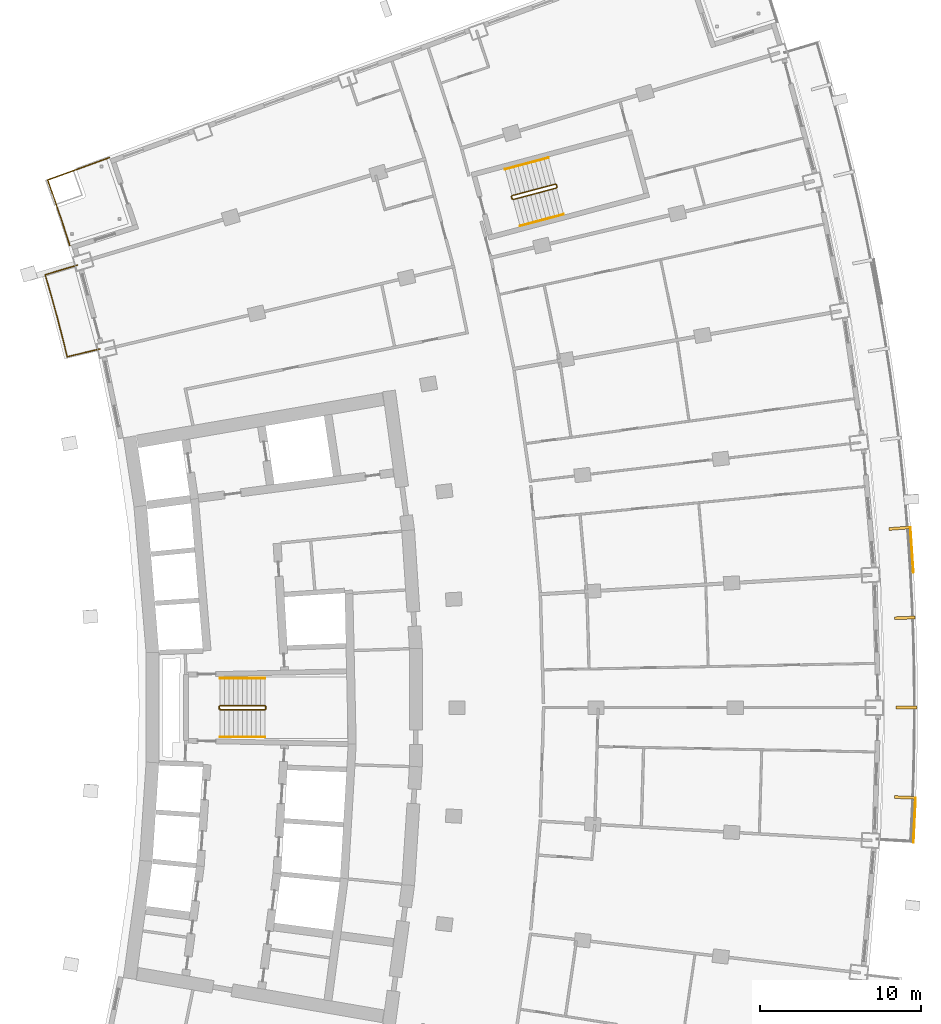
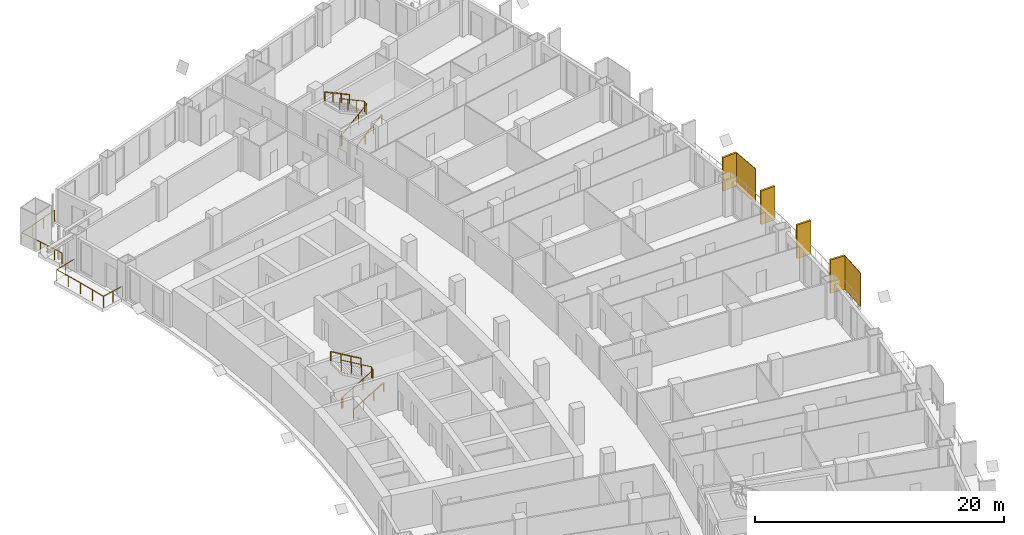
# One storey, part 24 of 25: 8 railings, 6 shading devices.
"""IFC4 building model written with IfcOpenShell, lengths in metres."""

from ifc_helpers import new_model, si_unit, direction, frame, origin, origin_with_axes, origin_2d, place, context, subcontext, project, spatial, rectangle, extrude, material, layer, layer_set, type_object, element, save


model = new_model("IFC4")

# Units and contexts
model_context = context("Model", 3, precision=1e-05, world=origin(), true_north=direction((0.0, 1.0)))
body_context = subcontext(model_context, "Body", "Model", "MODEL_VIEW")
ifc_project = project(units=[si_unit("LENGTHUNIT", "METRE"), si_unit("AREAUNIT", "SQUARE_METRE"), si_unit("VOLUMEUNIT", "CUBIC_METRE"), si_unit("PLANEANGLEUNIT", "RADIAN"), si_unit("MASSUNIT", "GRAM", prefix="KILO")], contexts=[model_context])

# Site, building, storey
site_placement = place(None, origin())
site = spatial("IfcSite", under=ifc_project, at=site_placement, CompositionType="ELEMENT")
building_placement = place(site_placement, origin())
building = spatial("IfcBuilding", under=site, at=building_placement, Name="Alderwake Tower", CompositionType="ELEMENT")
storey_placement = place(building_placement, frame((0.0, 0.0, 89.60009765625)))
storey = spatial("IfcBuildingStorey", under=building, at=storey_placement, Name="L21", CompositionType="ELEMENT", Elevation=89.60009765625)

# Railings
ifc_material_1 = material(Name="Stainless steel 316 rail and posts", Category="steel")
railing_type_1 = type_object("IfcRailingType", Name="Balcony guard 1100", PredefinedType="GUARDRAIL", material=ifc_material_1)
railing_1_placement = place(storey_placement, frame((13.5693359375, 83.343017578125, 0.0)))
element("IfcRailing", 1, at=railing_1_placement, inside=storey, type_object=railing_type_1, Name="Guard BR11", PredefinedType="GUARDRAIL", context=body_context, shape_type="SweptSolid", body=[
    extrude(rectangle(XDim=0.048095703125, YDim=0.048095703125, at=origin_2d()), frame((0.0, 0.0, 1.076171875), z_axis=(-0.972646310656, -0.232291098337, 0.0), x_axis=(0.232291098337, -0.972646310656, 0.0)), (0.0, 0.0, 1.0), 2.099853515625),
    extrude(rectangle(XDim=0.048095703125, YDim=0.048095703125, at=origin_2d()), frame((-2.04248046875, -0.48779296875, 1.076171875), z_axis=(-0.238877101641, 0.971049808358, 0.0), x_axis=(-0.971049808358, -0.238877101641, 0.0)), (0.0, 0.0, 1.0), 1.2724609375),
    extrude(rectangle(XDim=0.048095703125, YDim=0.048095703125, at=origin_2d()), frame((-2.346435546875, 0.747802734375, 1.076171875), z_axis=(-0.252487086228, 0.967600264204, 0.0), x_axis=(-0.967600264204, -0.252487086228, 0.0)), (0.0, 0.0, 1.0), 1.3720703125),
    extrude(rectangle(XDim=0.048095703125, YDim=0.048095703125, at=origin_2d()), frame((-2.69287109375, 2.075439453125, 1.076171875), z_axis=(-0.266487604617, 0.963838345671, 0.0), x_axis=(-0.963838345671, -0.266487604617, 0.0)), (0.0, 0.0, 1.0), 1.372314453125),
    extrude(rectangle(XDim=0.048095703125, YDim=0.048095703125, at=origin_2d()), frame((-3.05859375, 3.398193359375, 1.076171875), z_axis=(-0.279963157487, 0.960010744966, 0.0), x_axis=(-0.960010744966, -0.279963157487, 0.0)), (0.0, 0.0, 1.0), 1.272216796875),
    extrude(rectangle(XDim=0.048095703125, YDim=0.048095703125, at=origin_2d()), frame((-3.414794921875, 4.61962890625, 1.076171875), z_axis=(0.958091458885, 0.286462486918, 0.0), x_axis=(-0.286462486918, 0.958091458885, 0.0)), (0.0, 0.0, 1.0), 2.099853515625),
    extrude(rectangle(XDim=0.0419921875, YDim=0.0419921875, at=origin_2d()), frame((0.0, 0.0, 0.0), z_axis=(0.0, 0.0, 1.0), x_axis=(-0.972646310656, -0.232291098337, 0.0)), (0.0, 0.0, 1.0), 1.052001953125),
    extrude(rectangle(XDim=0.0419921875, YDim=0.0419921875, at=origin_2d()), frame((-1.021240234375, -0.243896484375, 0.0), z_axis=(0.0, 0.0, 1.0), x_axis=(-0.972646310656, -0.232291098337, 0.0)), (0.0, 0.0, 1.0), 1.052001953125),
    extrude(rectangle(XDim=0.0419921875, YDim=0.0419921875, at=origin_2d()), frame((-2.04248046875, -0.48779296875, 0.0), z_axis=(0.0, 0.0, 1.0), x_axis=(-0.238877101641, 0.971049808358, 0.0)), (0.0, 0.0, 1.0), 1.052001953125),
    extrude(rectangle(XDim=0.0419921875, YDim=0.0419921875, at=origin_2d()), frame((-2.346435546875, 0.747802734375, 0.0), z_axis=(0.0, 0.0, 1.0), x_axis=(-0.252487086228, 0.967600264204, 0.0)), (0.0, 0.0, 1.0), 1.052001953125),
    extrude(rectangle(XDim=0.0419921875, YDim=0.0419921875, at=origin_2d()), frame((-2.69287109375, 2.075439453125, 0.0), z_axis=(0.0, 0.0, 1.0), x_axis=(-0.266487604617, 0.963838345671, 0.0)), (0.0, 0.0, 1.0), 1.052001953125),
    extrude(rectangle(XDim=0.0419921875, YDim=0.0419921875, at=origin_2d()), frame((-3.05859375, 3.398193359375, 0.0), z_axis=(0.0, 0.0, 1.0), x_axis=(-0.279963157487, 0.960010744966, 0.0)), (0.0, 0.0, 1.0), 1.052001953125),
    extrude(rectangle(XDim=0.0419921875, YDim=0.0419921875, at=origin_2d()), frame((-3.414794921875, 4.61962890625, 0.0), z_axis=(0.0, 0.0, 1.0), x_axis=(0.958091458885, 0.286462486918, 0.0)), (0.0, 0.0, 1.0), 1.052001953125),
    extrude(rectangle(XDim=0.0419921875, YDim=0.0419921875, at=origin_2d()), frame((-2.40869140625, 4.92041015625, 0.0), z_axis=(0.0, 0.0, 1.0), x_axis=(0.958091458885, 0.286462486918, 0.0)), (0.0, 0.0, 1.0), 1.052001953125),
    extrude(rectangle(XDim=0.0419921875, YDim=0.0419921875, at=origin_2d()), frame((-1.40283203125, 5.22119140625, 0.0), z_axis=(0.0, 0.0, 1.0), x_axis=(0.958091458885, 0.286462486918, 0.0)), (0.0, 0.0, 1.0), 1.052001953125),
])
railing_2_placement = place(storey_placement, frame((11.688720703125, 89.781982421875, 0.0)))
element("IfcRailing", 2, at=railing_2_placement, inside=storey, type_object=railing_type_1, Name="Guard terrace RN", PredefinedType="GUARDRAIL", context=body_context, shape_type="SweptSolid", body=[
    extrude(rectangle(XDim=0.048095703125, YDim=0.048095703125, at=origin_2d()), frame((0.0, 0.0, 1.076171875), z_axis=(-0.307479326145, 0.951554761426, 0.0), x_axis=(-0.951554761426, -0.307479326145, 0.0)), (0.0, 0.0, 1.0), 1.6015625),
    extrude(rectangle(XDim=0.048095703125, YDim=0.048095703125, at=origin_2d()), frame((-0.492431640625, 1.52392578125, 1.076171875), z_axis=(-0.322283727344, 0.946643121292, 0.0), x_axis=(-0.946643121292, -0.322283727344, 0.0)), (0.0, 0.0, 1.0), 1.4013671875),
    extrude(rectangle(XDim=0.048095703125, YDim=0.048095703125, at=origin_2d()), frame((-0.944091796875, 2.8505859375, 1.076171875), z_axis=(-0.335468607403, 0.942051385778, 0.0), x_axis=(-0.942051385778, -0.335468607403, 0.0)), (0.0, 0.0, 1.0), 1.30126953125),
    extrude(rectangle(XDim=0.048095703125, YDim=0.048095703125, at=origin_2d()), frame((-1.380615234375, 4.076416015625, 1.076171875), z_axis=(0.939708203232, 0.341977327873, 0.0), x_axis=(-0.341977327873, 0.939708203232, 0.0)), (0.0, 0.0, 1.0), 4.10009765625),
    extrude(rectangle(XDim=0.0419921875, YDim=0.0419921875, at=origin_2d()), frame((0.0, 0.0, 0.0), z_axis=(0.0, 0.0, 1.0), x_axis=(-0.307479326145, 0.951554761426, 0.0)), (0.0, 0.0, 1.0), 1.052001953125),
    extrude(rectangle(XDim=0.0419921875, YDim=0.0419921875, at=origin_2d()), frame((-0.24609375, 0.761962890625, 0.0), z_axis=(0.0, 0.0, 1.0), x_axis=(-0.307479326145, 0.951554761426, 0.0)), (0.0, 0.0, 1.0), 1.052001953125),
    extrude(rectangle(XDim=0.0419921875, YDim=0.0419921875, at=origin_2d()), frame((-0.492431640625, 1.52392578125, 0.0), z_axis=(0.0, 0.0, 1.0), x_axis=(-0.322283727344, 0.946643121292, 0.0)), (0.0, 0.0, 1.0), 1.052001953125),
    extrude(rectangle(XDim=0.0419921875, YDim=0.0419921875, at=origin_2d()), frame((-0.71826171875, 2.187255859375, 0.0), z_axis=(0.0, 0.0, 1.0), x_axis=(-0.322283727344, 0.946643121292, 0.0)), (0.0, 0.0, 1.0), 1.052001953125),
    extrude(rectangle(XDim=0.0419921875, YDim=0.0419921875, at=origin_2d()), frame((-0.944091796875, 2.8505859375, 0.0), z_axis=(0.0, 0.0, 1.0), x_axis=(-0.335468607403, 0.942051385778, 0.0)), (0.0, 0.0, 1.0), 1.052001953125),
    extrude(rectangle(XDim=0.0419921875, YDim=0.0419921875, at=origin_2d()), frame((-1.380615234375, 4.076416015625, 0.0), z_axis=(0.0, 0.0, 1.0), x_axis=(0.939708203232, 0.341977327873, 0.0)), (0.0, 0.0, 1.0), 1.052001953125),
    extrude(rectangle(XDim=0.0419921875, YDim=0.0419921875, at=origin_2d()), frame((-0.096435546875, 4.543701171875, 0.0), z_axis=(0.0, 0.0, 1.0), x_axis=(0.939708203232, 0.341977327873, 0.0)), (0.0, 0.0, 1.0), 1.052001953125),
    extrude(rectangle(XDim=0.0419921875, YDim=0.0419921875, at=origin_2d()), frame((1.18798828125, 5.01123046875, 0.0), z_axis=(0.0, 0.0, 1.0), x_axis=(0.939708203232, 0.341977327873, 0.0)), (0.0, 0.0, 1.0), 1.052001953125),
    extrude(rectangle(XDim=0.0419921875, YDim=0.0419921875, at=origin_2d()), frame((2.47216796875, 5.478515625, 0.0), z_axis=(0.0, 0.0, 1.0), x_axis=(0.939708203232, 0.341977327873, 0.0)), (0.0, 0.0, 1.0), 1.052001953125),
])

# Shading devices
ifc_material_2 = material(Name="Bronze anodised aluminium", Category="aluminium")
ifc_layer_1 = layer(ifc_material_2, 0.179931640625)
ifc_layer_set_1 = layer_set([ifc_layer_1], Name="Facade fin 1300")
shading_device_type_1 = type_object("IfcShadingDeviceType", Name="Facade fin 1300", PredefinedType="USERDEFINED", material=ifc_layer_set_1)
for number, where, z_axis, x_axis, name in (
    (3, (63.691162109375, 55.40771484375, 0.0), (0.0, 0.0, 1.0), (0.999243494356, -0.038890088543, 0.0), "Fin"),
    (4, (63.800048828125, 61.0, 0.0), (0.0, 0.0, 1.0), (1.0, 0.0, 0.0), "Fin"),
    (5, (63.691162109375, 66.59228515625, 0.0), (0.0, 0.0, 1.0), (0.999243494356, 0.038890088543, 0.0), "Fin"),
    (6, (63.364990234375, 72.176513671875, 0.0), (0.0, 0.0, 1.0), (0.996975122026, 0.077721335943, 0.0), "Fin"),
):
    element("IfcShadingDevice", number, at=place(storey_placement, frame(where, z_axis=z_axis, x_axis=x_axis)), inside=storey, type_object=shading_device_type_1, Name=name, ObjectType="FIN", PredefinedType="USERDEFINED", context=body_context, shape_type="SweptSolid", body=[
        extrude(rectangle(XDim=1.300048828125, YDim=0.179931640625, at=origin_2d()), origin(), (0.0, 0.0, 1.0), 3.280029296875),
    ])
ifc_material_3 = material(Name="Perforated bronze anodised aluminium", Category="aluminium")
ifc_layer_2 = layer(ifc_material_3, 0.050048828125)
ifc_layer_set_2 = layer_set([ifc_layer_2], Name="Perforated screen panel")
shading_device_type_2 = type_object("IfcShadingDeviceType", Name="Perforated screen panel", PredefinedType="USERDEFINED", material=ifc_layer_set_2)
shading_device_1_placement = place(storey_placement, frame((64.297607421875, 53.981689453125, 0.0), z_axis=(0.0, 0.0, 1.0), x_axis=(0.998819231138, -0.048581308217, 0.0)))
element("IfcShadingDevice", 7, at=shading_device_1_placement, inside=storey, type_object=shading_device_type_2, Name="Screen panel", ObjectType="SCREEN", PredefinedType="USERDEFINED", context=body_context, shape_type="SweptSolid", body=[
    extrude(rectangle(XDim=0.050048828125, YDim=2.802734375, at=origin_2d()), origin(), (0.0, 0.0, 1.0), 3.280029296875),
])
shading_device_2_placement = place(storey_placement, frame((64.1337890625, 70.823486328125, 0.0), z_axis=(0.0, 0.0, 1.0), x_axis=(0.997685465774, 0.067997877779, 0.0)))
element("IfcShadingDevice", 8, at=shading_device_2_placement, inside=storey, type_object=shading_device_type_2, Name="Screen panel", ObjectType="SCREEN", PredefinedType="USERDEFINED", context=body_context, shape_type="SweptSolid", body=[
    extrude(rectangle(XDim=0.050048828125, YDim=2.817138671875, at=origin_2d()), origin(), (0.0, 0.0, 1.0), 3.280029296875),
])

# Railings
ifc_material_4 = material(Name="Stainless steel guard", Category="steel")
railing_type_2 = type_object("IfcRailingType", Name="Stair guard 1100", PredefinedType="GUARDRAIL", material=ifc_material_4)
railing_3_placement = place(storey_placement, frame((20.989990234375, 60.925048828125, 0.0)))
element("IfcRailing", 9, at=railing_3_placement, inside=storey, type_object=railing_type_2, Name="L21 ST-B stair guard 1", PredefinedType="GUARDRAIL", context=body_context, shape_type="SweptSolid", body=[
    extrude(rectangle(XDim=0.048095703125, YDim=0.048095703125, at=origin_2d()), frame((0.0, 0.0, 1.076171875), z_axis=(0.0, 1.0, 0.0), x_axis=(-1.0, 0.0, 0.0)), (0.0, 0.0, 1.0), 0.14990234375),
    extrude(rectangle(XDim=0.048095703125, YDim=0.048095703125, at=origin_2d()), frame((0.0, 0.14990234375, 1.076171875), z_axis=(0.190199549216, -0.759870394187, 0.621627795), x_axis=(0.970072785993, 0.242814311512, 0.0)), (0.0, 0.0, 1.0), 0.26318359375),
    extrude(rectangle(XDim=0.048095703125, YDim=0.048095703125, at=origin_2d()), frame((0.050048828125, -0.050048828125, 1.23974609375), z_axis=(0.863393664356, 0.0, 0.504530851732), x_axis=(0.0, 1.0, 0.0)), (0.0, 0.0, 1.0), 3.2431640625),
    extrude(rectangle(XDim=0.048095703125, YDim=0.048095703125, at=origin_2d()), frame((2.85009765625, -0.050048828125, 2.8759765625), z_axis=(0.705375805398, 0.708833529934, 0.0), x_axis=(-0.708833529934, 0.705375805398, 0.0)), (0.0, 0.0, 1.0), 0.070556640625),
    extrude(rectangle(XDim=0.048095703125, YDim=0.048095703125, at=origin_2d()), frame((2.89990234375, 0.0, 2.8759765625), z_axis=(0.0, 1.0, 0.0), x_axis=(-1.0, 0.0, 0.0)), (0.0, 0.0, 1.0), 0.14990234375),
    extrude(rectangle(XDim=0.048095703125, YDim=0.048095703125, at=origin_2d()), frame((2.89990234375, 0.14990234375, 2.8759765625), z_axis=(-0.279194930351, 0.280563532951, 0.91833234444), x_axis=(-0.708833529934, -0.705375805398, 0.0)), (0.0, 0.0, 1.0), 0.178466796875),
    extrude(rectangle(XDim=0.048095703125, YDim=0.048095703125, at=origin_2d()), frame((2.85009765625, 0.199951171875, 3.03955078125), z_axis=(-0.863393664356, 0.0, 0.504530851732), x_axis=(0.0, -1.0, 0.0)), (0.0, 0.0, 1.0), 3.2431640625),
    extrude(rectangle(XDim=0.0419921875, YDim=0.0419921875, at=origin_2d()), frame((0.0, 0.0, 0.0), z_axis=(0.0, 0.0, 1.0), x_axis=(0.0, 1.0, 0.0)), (0.0, 0.0, 1.0), 1.052001953125),
    extrude(rectangle(XDim=0.0419921875, YDim=0.0419921875, at=origin_2d()), frame((0.0, 0.14990234375, 0.0), z_axis=(0.0, 0.0, 1.0), x_axis=(0.242814311512, -0.970072785993, 0.0)), (0.0, 0.0, 1.0), 1.052001953125),
    extrude(rectangle(XDim=0.0419921875, YDim=0.0419921875, at=origin_2d()), frame((0.050048828125, -0.050048828125, 0.16357421875), z_axis=(0.0, 0.0, 1.0), x_axis=(1.0, 0.0, 0.0)), (0.0, 0.0, 1.0), 1.052001953125),
    extrude(rectangle(XDim=0.0419921875, YDim=0.0419921875, at=origin_2d()), frame((0.9833984375, -0.050048828125, 0.708984375), z_axis=(0.0, 0.0, 1.0), x_axis=(1.0, 0.0, 0.0)), (0.0, 0.0, 1.0), 1.052001953125),
    extrude(rectangle(XDim=0.0419921875, YDim=0.0419921875, at=origin_2d()), frame((1.916748046875, -0.050048828125, 1.25439453125), z_axis=(0.0, 0.0, 1.0), x_axis=(1.0, 0.0, 0.0)), (0.0, 0.0, 1.0), 1.052001953125),
    extrude(rectangle(XDim=0.0419921875, YDim=0.0419921875, at=origin_2d()), frame((2.85009765625, -0.050048828125, 1.7998046875), z_axis=(0.0, 0.0, 1.0), x_axis=(0.705375805398, 0.708833529934, 0.0)), (0.0, 0.0, 1.0), 1.052001953125),
    extrude(rectangle(XDim=0.0419921875, YDim=0.0419921875, at=origin_2d()), frame((2.89990234375, 0.0, 1.7998046875), z_axis=(0.0, 0.0, 1.0), x_axis=(0.0, 1.0, 0.0)), (0.0, 0.0, 1.0), 1.052001953125),
    extrude(rectangle(XDim=0.0419921875, YDim=0.0419921875, at=origin_2d()), frame((2.89990234375, 0.14990234375, 1.7998046875), z_axis=(0.0, 0.0, 1.0), x_axis=(-0.705375805398, 0.708833529934, 0.0)), (0.0, 0.0, 1.0), 1.052001953125),
    extrude(rectangle(XDim=0.0419921875, YDim=0.0419921875, at=origin_2d()), frame((2.85009765625, 0.199951171875, 1.963623046875), z_axis=(0.0, 0.0, 1.0), x_axis=(-1.0, 0.0, 0.0)), (0.0, 0.0, 1.0), 1.052001953125),
    extrude(rectangle(XDim=0.0419921875, YDim=0.0419921875, at=origin_2d()), frame((1.916748046875, 0.199951171875, 2.509033203125), z_axis=(0.0, 0.0, 1.0), x_axis=(-1.0, 0.0, 0.0)), (0.0, 0.0, 1.0), 1.052001953125),
    extrude(rectangle(XDim=0.0419921875, YDim=0.0419921875, at=origin_2d()), frame((0.9833984375, 0.199951171875, 3.054443359375), z_axis=(0.0, 0.0, 1.0), x_axis=(-1.0, 0.0, 0.0)), (0.0, 0.0, 1.0), 1.052001953125),
    extrude(rectangle(XDim=0.0419921875, YDim=0.0419921875, at=origin_2d()), frame((0.050048828125, 0.199951171875, 3.599853515625), z_axis=(0.0, 0.0, 1.0), x_axis=(-1.0, 0.0, 0.0)), (0.0, 0.0, 1.0), 1.052001953125),
])
railing_4_placement = place(storey_placement, frame((39.23291015625, 92.6806640625, 0.0)))
element("IfcRailing", 10, at=railing_4_placement, inside=storey, type_object=railing_type_2, Name="L21 ST-A stair guard 1", PredefinedType="GUARDRAIL", context=body_context, shape_type="SweptSolid", body=[
    extrude(rectangle(XDim=0.048095703125, YDim=0.048095703125, at=origin_2d()), frame((0.0, 0.0, 1.076171875), z_axis=(-0.257055032184, 0.966396766566, 0.0), x_axis=(-0.966396766566, -0.257055032184, 0.0)), (0.0, 0.0, 1.0), 0.150146484375),
    extrude(rectangle(XDim=0.048095703125, YDim=0.048095703125, at=origin_2d()), frame((-0.03857421875, 0.14501953125, 1.076171875), z_axis=(0.379370725808, -0.685464465458, 0.621463047167), x_axis=(0.874937996095, 0.484234966715, 0.0)), (0.0, 0.0, 1.0), 0.26318359375),
    extrude(rectangle(XDim=0.048095703125, YDim=0.048095703125, at=origin_2d()), frame((0.061279296875, -0.035400390625, 1.23974609375), z_axis=(0.834290631165, 0.222236594766, 0.504549342183), x_axis=(-0.257402139082, 0.966304371715, 0.0)), (0.0, 0.0, 1.0), 3.242919921875),
    extrude(rectangle(XDim=0.048095703125, YDim=0.048095703125, at=origin_2d()), frame((2.766845703125, 0.685302734375, 2.8759765625), z_axis=(0.500220121494, 0.865898279276, 0.0), x_axis=(-0.865898279276, 0.500220121494, 0.0)), (0.0, 0.0, 1.0), 0.07080078125),
    extrude(rectangle(XDim=0.048095703125, YDim=0.048095703125, at=origin_2d()), frame((2.80224609375, 0.74658203125, 2.8759765625), z_axis=(-0.257459803502, 0.966289009345, 0.0), x_axis=(-0.966289009345, -0.257459803502, 0.0)), (0.0, 0.0, 1.0), 0.14990234375),
    extrude(rectangle(XDim=0.048095703125, YDim=0.048095703125, at=origin_2d()), frame((2.763671875, 0.891357421875, 2.8759765625), z_axis=(-0.34209458732, 0.199783238995, 0.918181872367), x_axis=(-0.504300490226, -0.863528236688, 0.0)), (0.0, 0.0, 1.0), 0.178466796875),
    extrude(rectangle(XDim=0.048095703125, YDim=0.048095703125, at=origin_2d()), frame((2.70263671875, 0.927001953125, 3.03955078125), z_axis=(-0.834313512087, -0.222222637163, 0.504517653885), x_axis=(0.257380452725, -0.966310148221, 0.0)), (0.0, 0.0, 1.0), 3.2431640625),
    extrude(rectangle(XDim=0.0419921875, YDim=0.0419921875, at=origin_2d()), frame((0.0, 0.0, 0.0), z_axis=(0.0, 0.0, 1.0), x_axis=(-0.257055032184, 0.966396766566, 0.0)), (0.0, 0.0, 1.0), 1.052001953125),
    extrude(rectangle(XDim=0.0419921875, YDim=0.0419921875, at=origin_2d()), frame((-0.03857421875, 0.14501953125, 0.0), z_axis=(0.0, 0.0, 1.0), x_axis=(0.484234966715, -0.874937996095, 0.0)), (0.0, 0.0, 1.0), 1.052001953125),
    extrude(rectangle(XDim=0.0419921875, YDim=0.0419921875, at=origin_2d()), frame((0.061279296875, -0.035400390625, 0.16357421875), z_axis=(0.0, 0.0, 1.0), x_axis=(0.966304371715, 0.257402139082, 0.0)), (0.0, 0.0, 1.0), 1.052001953125),
    extrude(rectangle(XDim=0.0419921875, YDim=0.0419921875, at=origin_2d()), frame((0.963134765625, 0.204833984375, 0.708984375), z_axis=(0.0, 0.0, 1.0), x_axis=(0.966304371715, 0.257402139082, 0.0)), (0.0, 0.0, 1.0), 1.052001953125),
    extrude(rectangle(XDim=0.0419921875, YDim=0.0419921875, at=origin_2d()), frame((1.864990234375, 0.445068359375, 1.25439453125), z_axis=(0.0, 0.0, 1.0), x_axis=(0.966304371715, 0.257402139082, 0.0)), (0.0, 0.0, 1.0), 1.052001953125),
    extrude(rectangle(XDim=0.0419921875, YDim=0.0419921875, at=origin_2d()), frame((2.766845703125, 0.685302734375, 1.7998046875), z_axis=(0.0, 0.0, 1.0), x_axis=(0.500220121494, 0.865898279276, 0.0)), (0.0, 0.0, 1.0), 1.052001953125),
    extrude(rectangle(XDim=0.0419921875, YDim=0.0419921875, at=origin_2d()), frame((2.80224609375, 0.74658203125, 1.7998046875), z_axis=(0.0, 0.0, 1.0), x_axis=(-0.257459803502, 0.966289009345, 0.0)), (0.0, 0.0, 1.0), 1.052001953125),
    extrude(rectangle(XDim=0.0419921875, YDim=0.0419921875, at=origin_2d()), frame((2.763671875, 0.891357421875, 1.7998046875), z_axis=(0.0, 0.0, 1.0), x_axis=(-0.863528236688, 0.504300490226, 0.0)), (0.0, 0.0, 1.0), 1.052001953125),
    extrude(rectangle(XDim=0.0419921875, YDim=0.0419921875, at=origin_2d()), frame((2.70263671875, 0.927001953125, 1.963623046875), z_axis=(0.0, 0.0, 1.0), x_axis=(-0.966310148221, -0.257380452725, 0.0)), (0.0, 0.0, 1.0), 1.052001953125),
    extrude(rectangle(XDim=0.0419921875, YDim=0.0419921875, at=origin_2d()), frame((1.80078125, 0.686767578125, 2.509033203125), z_axis=(0.0, 0.0, 1.0), x_axis=(-0.966310148221, -0.257380452725, 0.0)), (0.0, 0.0, 1.0), 1.052001953125),
    extrude(rectangle(XDim=0.0419921875, YDim=0.0419921875, at=origin_2d()), frame((0.898681640625, 0.446533203125, 3.054443359375), z_axis=(0.0, 0.0, 1.0), x_axis=(-0.966310148221, -0.257380452725, 0.0)), (0.0, 0.0, 1.0), 1.052001953125),
    extrude(rectangle(XDim=0.0419921875, YDim=0.0419921875, at=origin_2d()), frame((-0.003173828125, 0.206298828125, 3.599853515625), z_axis=(0.0, 0.0, 1.0), x_axis=(-0.966310148221, -0.257380452725, 0.0)), (0.0, 0.0, 1.0), 1.052001953125),
])
ifc_material_5 = material(Name="Stainless steel handrail", Category="steel")
railing_type_3 = type_object("IfcRailingType", Name="Stair handrail 900", PredefinedType="HANDRAIL", material=ifc_material_5)
railing_5_placement = place(storey_placement, frame((21.0400390625, 59.175048828125, 0.16357421875)))
element("IfcRailing", 11, at=railing_5_placement, inside=storey, type_object=railing_type_3, Name="L21 ST-B stair handrail 1", PredefinedType="HANDRAIL", context=body_context, shape_type="SweptSolid", body=[
    extrude(rectangle(XDim=0.048095703125, YDim=0.048095703125, at=origin_2d()), frame((0.0, 0.0, 0.8759765625), z_axis=(0.863393664356, 0.0, 0.504530851732), x_axis=(0.0, 1.0, 0.0)), (0.0, 0.0, 1.0), 3.2431640625),
    extrude(rectangle(XDim=0.0419921875, YDim=0.0419921875, at=origin_2d()), origin_with_axes(), (0.0, 0.0, 1.0), 0.851806640625),
    extrude(rectangle(XDim=0.0419921875, YDim=0.0419921875, at=origin_2d()), frame((0.933349609375, 0.0, 0.54541015625), z_axis=(0.0, 0.0, 1.0), x_axis=(1.0, 0.0, 0.0)), (0.0, 0.0, 1.0), 0.851806640625),
    extrude(rectangle(XDim=0.0419921875, YDim=0.0419921875, at=origin_2d()), frame((1.86669921875, 0.0, 1.0908203125), z_axis=(0.0, 0.0, 1.0), x_axis=(1.0, 0.0, 0.0)), (0.0, 0.0, 1.0), 0.851806640625),
    extrude(rectangle(XDim=0.0419921875, YDim=0.0419921875, at=origin_2d()), frame((2.800048828125, 0.0, 1.63623046875), z_axis=(0.0, 0.0, 1.0), x_axis=(1.0, 0.0, 0.0)), (0.0, 0.0, 1.0), 0.851806640625),
])
railing_6_placement = place(storey_placement, frame((23.840087890625, 62.824951171875, 1.963623046875)))
element("IfcRailing", 12, at=railing_6_placement, inside=storey, type_object=railing_type_3, Name="L21 ST-B stair handrail 2", PredefinedType="HANDRAIL", context=body_context, shape_type="SweptSolid", body=[
    extrude(rectangle(XDim=0.048095703125, YDim=0.048095703125, at=origin_2d()), frame((0.0, 0.0, 0.8759765625), z_axis=(-0.863393664356, 0.0, 0.504530851732), x_axis=(0.0, -1.0, 0.0)), (0.0, 0.0, 1.0), 3.2431640625),
    extrude(rectangle(XDim=0.0419921875, YDim=0.0419921875, at=origin_2d()), frame((0.0, 0.0, 0.0), z_axis=(0.0, 0.0, 1.0), x_axis=(-1.0, 0.0, 0.0)), (0.0, 0.0, 1.0), 0.851806640625),
    extrude(rectangle(XDim=0.0419921875, YDim=0.0419921875, at=origin_2d()), frame((-0.933349609375, 0.0, 0.54541015625), z_axis=(0.0, 0.0, 1.0), x_axis=(-1.0, 0.0, 0.0)), (0.0, 0.0, 1.0), 0.851806640625),
    extrude(rectangle(XDim=0.0419921875, YDim=0.0419921875, at=origin_2d()), frame((-1.86669921875, 0.0, 1.0908203125), z_axis=(0.0, 0.0, 1.0), x_axis=(-1.0, 0.0, 0.0)), (0.0, 0.0, 1.0), 0.851806640625),
    extrude(rectangle(XDim=0.0419921875, YDim=0.0419921875, at=origin_2d()), frame((-2.800048828125, 0.0, 1.63623046875), z_axis=(0.0, 0.0, 1.0), x_axis=(-1.0, 0.0, 0.0)), (0.0, 0.0, 1.0), 0.851806640625),
])
railing_7_placement = place(storey_placement, frame((39.731689453125, 91.002685546875, 0.16357421875)))
element("IfcRailing", 13, at=railing_7_placement, inside=storey, type_object=railing_type_3, Name="L21 ST-A stair handrail 1", PredefinedType="HANDRAIL", context=body_context, shape_type="SweptSolid", body=[
    extrude(rectangle(XDim=0.048095703125, YDim=0.048095703125, at=origin_2d()), frame((0.0, 0.0, 0.8759765625), z_axis=(0.834290631165, 0.222236594766, 0.504549342183), x_axis=(-0.257402139082, 0.966304371715, 0.0)), (0.0, 0.0, 1.0), 3.242919921875),
    extrude(rectangle(XDim=0.0419921875, YDim=0.0419921875, at=origin_2d()), frame((0.0, 0.0, 0.0), z_axis=(0.0, 0.0, 1.0), x_axis=(0.966304371715, 0.257402139082, 0.0)), (0.0, 0.0, 1.0), 0.851806640625),
    extrude(rectangle(XDim=0.0419921875, YDim=0.0419921875, at=origin_2d()), frame((0.90185546875, 0.240234375, 0.54541015625), z_axis=(0.0, 0.0, 1.0), x_axis=(0.966304371715, 0.257402139082, 0.0)), (0.0, 0.0, 1.0), 0.851806640625),
    extrude(rectangle(XDim=0.0419921875, YDim=0.0419921875, at=origin_2d()), frame((1.8037109375, 0.48046875, 1.0908203125), z_axis=(0.0, 0.0, 1.0), x_axis=(0.966304371715, 0.257402139082, 0.0)), (0.0, 0.0, 1.0), 0.851806640625),
    extrude(rectangle(XDim=0.0419921875, YDim=0.0419921875, at=origin_2d()), frame((2.70556640625, 0.720703125, 1.63623046875), z_axis=(0.0, 0.0, 1.0), x_axis=(0.966304371715, 0.257402139082, 0.0)), (0.0, 0.0, 1.0), 0.851806640625),
])
railing_8_placement = place(storey_placement, frame((41.497802734375, 95.250244140625, 1.963623046875)))
element("IfcRailing", 14, at=railing_8_placement, inside=storey, type_object=railing_type_3, Name="L21 ST-A stair handrail 2", PredefinedType="HANDRAIL", context=body_context, shape_type="SweptSolid", body=[
    extrude(rectangle(XDim=0.048095703125, YDim=0.048095703125, at=origin_2d()), frame((0.0, 0.0, 0.8759765625), z_axis=(-0.834290631165, -0.222236594766, 0.504549342183), x_axis=(0.257402139082, -0.966304371715, 0.0)), (0.0, 0.0, 1.0), 3.242919921875),
    extrude(rectangle(XDim=0.0419921875, YDim=0.0419921875, at=origin_2d()), frame((0.0, 0.0, 0.0), z_axis=(0.0, 0.0, 1.0), x_axis=(-0.966304371715, -0.257402139082, 0.0)), (0.0, 0.0, 1.0), 0.851806640625),
    extrude(rectangle(XDim=0.0419921875, YDim=0.0419921875, at=origin_2d()), frame((-0.90185546875, -0.240234375, 0.54541015625), z_axis=(0.0, 0.0, 1.0), x_axis=(-0.966304371715, -0.257402139082, 0.0)), (0.0, 0.0, 1.0), 0.851806640625),
    extrude(rectangle(XDim=0.0419921875, YDim=0.0419921875, at=origin_2d()), frame((-1.8037109375, -0.48046875, 1.0908203125), z_axis=(0.0, 0.0, 1.0), x_axis=(-0.966304371715, -0.257402139082, 0.0)), (0.0, 0.0, 1.0), 0.851806640625),
    extrude(rectangle(XDim=0.0419921875, YDim=0.0419921875, at=origin_2d()), frame((-2.70556640625, -0.720703125, 1.63623046875), z_axis=(0.0, 0.0, 1.0), x_axis=(-0.966304371715, -0.257402139082, 0.0)), (0.0, 0.0, 1.0), 0.851806640625),
])

save(model, "model.ifc")
